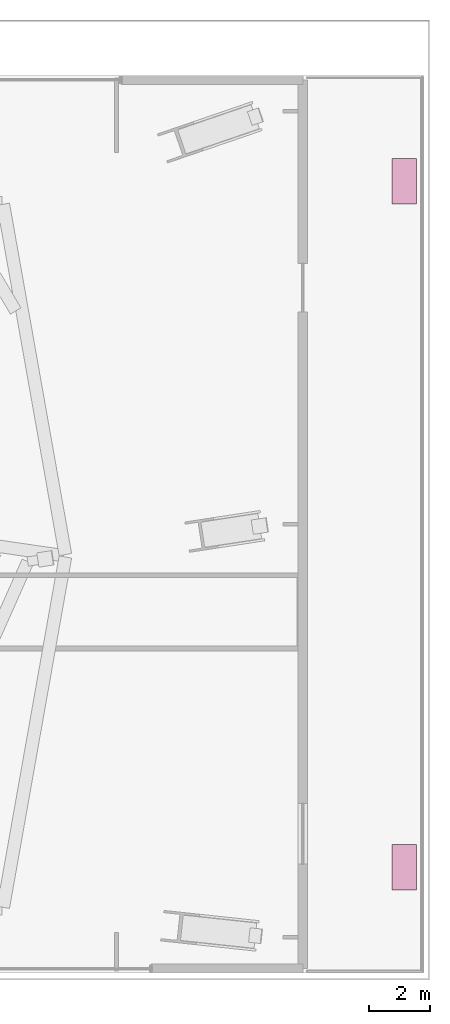
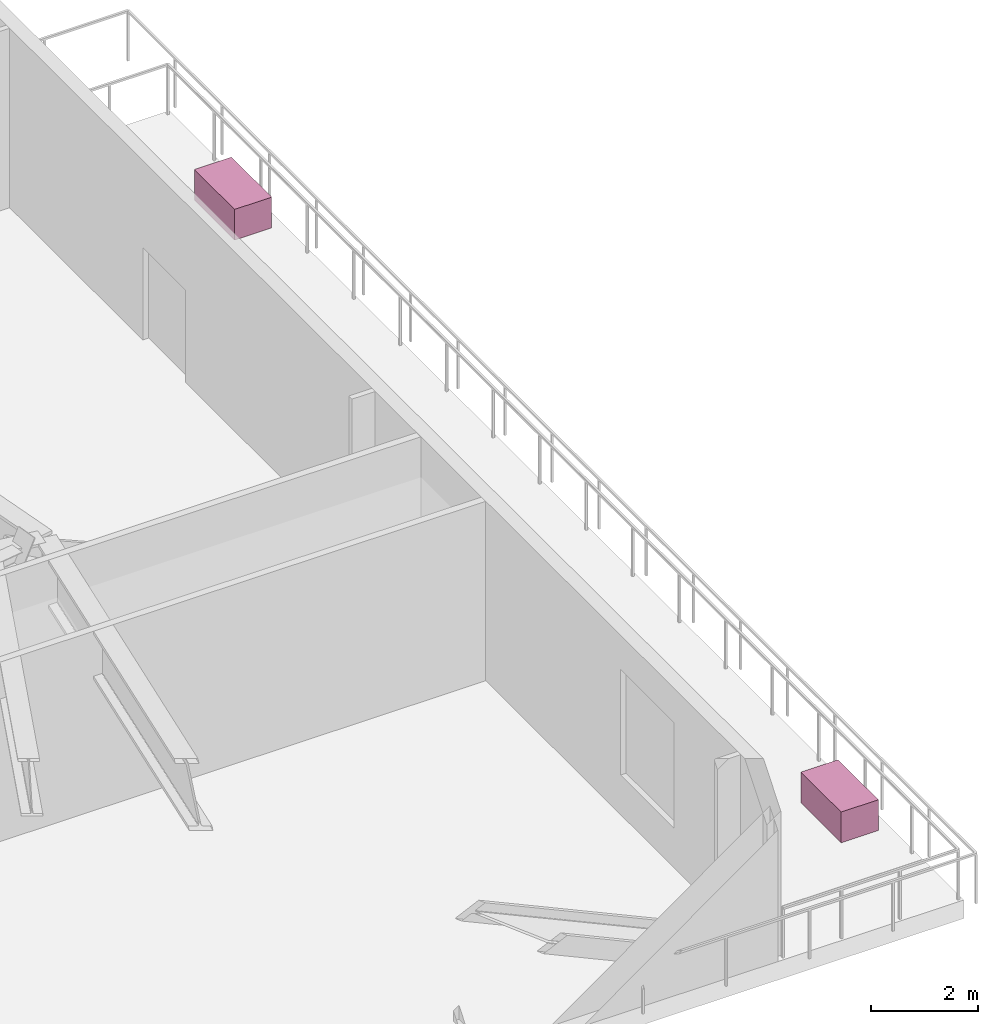
# One storey, part 29 of 29: 2 furnishings.
"""IFC4 building model written with IfcOpenShell, lengths in metres."""

from ifc_helpers import new_model, si_unit, direction, frame, origin, origin_2d, place, context, subcontext, project, spatial, rectangle, extrude, source, transform, mapped, material, type_object, type_shapes, element, save


model = new_model("IFC4")

# Units and contexts
model_context = context("Model", 3, precision=1e-05, world=origin(), true_north=direction((0.0, 1.0)))
body_context = subcontext(model_context, "Body", "Model", "MODEL_VIEW")
ifc_project = project(units=[si_unit("LENGTHUNIT", "METRE"), si_unit("AREAUNIT", "SQUARE_METRE"), si_unit("VOLUMEUNIT", "CUBIC_METRE"), si_unit("PLANEANGLEUNIT", "RADIAN"), si_unit("MASSUNIT", "GRAM", prefix="KILO")], contexts=[model_context])

# Site, building, storey
site_placement = place(None, origin())
site = spatial("IfcSite", under=ifc_project, at=site_placement, CompositionType="ELEMENT")
building_placement = place(site_placement, origin())
building = spatial("IfcBuilding", under=site, at=building_placement, Name="Astriad Promenade Condominiums", CompositionType="ELEMENT")
storey_placement = place(building_placement, frame((0.0, 0.0, 18.5)))
storey = spatial("IfcBuildingStorey", under=building, at=storey_placement, Name="L04", CompositionType="ELEMENT", Elevation=18.5)

# Furnishings
ifc_material = material(Name="Architectural Precast Concrete Planter", Category="concrete")
furnishing_element_type = type_object("IfcFurnishingElementType", Name="PLANTER-TERRACE-1500", material=ifc_material)
shared_shape = source(origin(), body_context, "Body", "SweptSolid", [
    extrude(rectangle(XDim=0.800048828125, YDim=1.5, at=origin_2d()), origin(), (0.0, 0.0, 1.0), 0.699951171875),
])
type_shapes(furnishing_element_type, [shared_shape])
for number, where, z_axis, x_axis, name in (
    (1, (70.800048828125, 5.10009765625, 0.0), (0.0, 0.0, 1.0), (1.0, 0.0, 0.0), "PLN-TER-L04-1"),
    (2, (70.800048828125, 27.699951171875, 0.0), (0.0, 0.0, 1.0), (1.0, 0.0, 0.0), "PLN-TER-L04-2"),
):
    element("IfcFurnishingElement", number, at=place(storey_placement, frame(where, z_axis=z_axis, x_axis=x_axis)), inside=storey, type_object=furnishing_element_type, Name=name, ObjectType="PLANTER", context=body_context, shape_type="MappedRepresentation", body=[
        mapped(shared_shape, transform((0.0, 0.0, 0.0), scale=1.0)),
    ])

save(model, "model.ifc")
